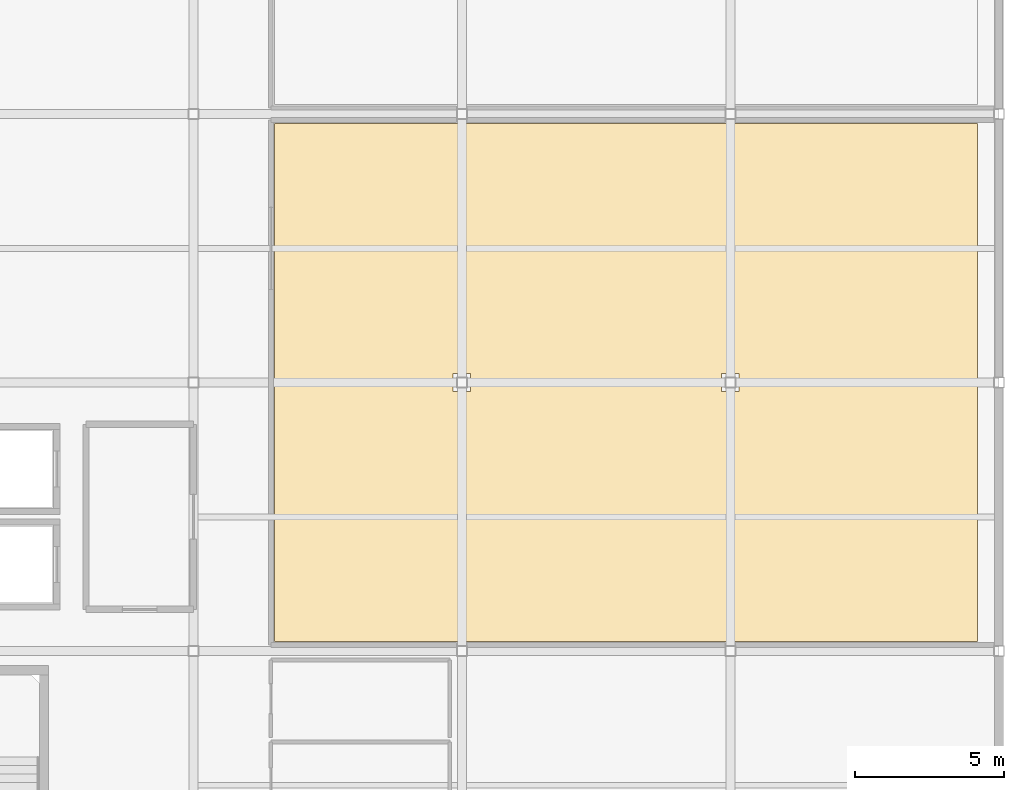
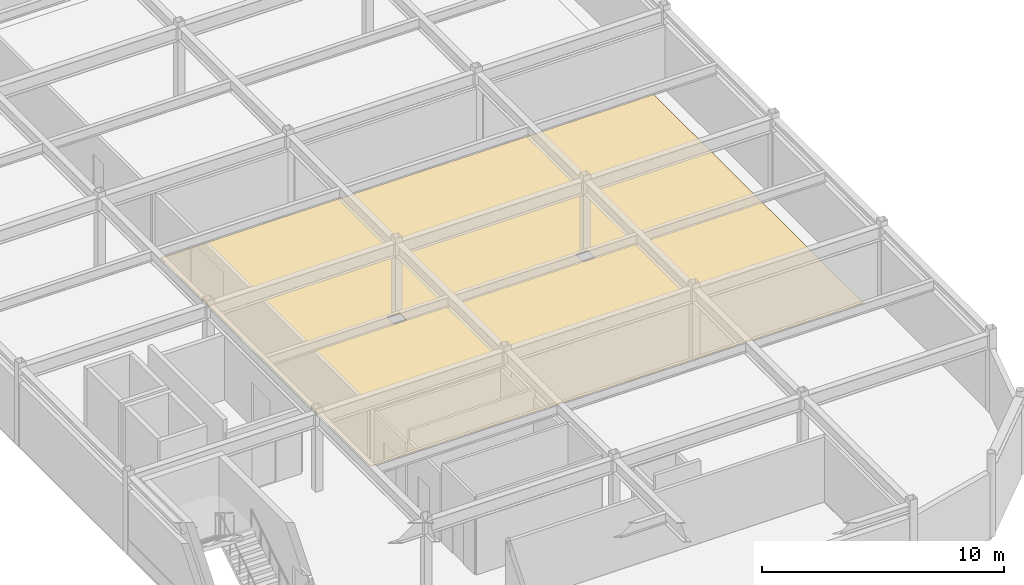
# One storey, part 38 of 40: 1 covering.
"""IFC4 building model written with IfcOpenShell, lengths in metres."""

import ifcopenshell
import ifcopenshell.guid

model = None  # the IFC model being written
_history = None  # IfcOwnerHistory: only IFC2X3 demands one
_inside = {}  # id of a spatial element -> (the spatial element, [elements in it])
_under = {}  # id of a project, library or spatial element -> (it, [spatial elements below it])
_declared = {}  # id of a project -> (the project, [libraries it declares])
_typed = {}  # id of a type object -> (the type object, [elements of that type])
_made_of = {}  # id of a material, layer set ... -> (it, [elements and type objects made of it])


def new_model(schema):
    """Start an empty IFC model of exactly this schema.

    Asked for "IFC4X3", IfcOpenShell would pick the latest addendum, in which some entities
    have other attributes; the version numbers below select the first issue.
    IFC2X3 requires an IfcOwnerHistory on every rooted entity: one is made here for all.
    """
    global model, _history
    if schema == "IFC4X3":
        model = ifcopenshell.file(schema_version=(4, 3, 0, 0))
    else:
        model = ifcopenshell.file(schema=schema)
    _inside.clear()
    _under.clear()
    _declared.clear()
    _typed.clear()
    _made_of.clear()
    _history = None
    if model.schema == "IFC2X3":
        org = make("IfcOrganization", Name="unknown")
        user = make(
            "IfcPersonAndOrganization",
            ThePerson=make("IfcPerson", FamilyName="unknown"),
            TheOrganization=org,
        )
        app = make(
            "IfcApplication",
            ApplicationDeveloper=org,
            Version="unknown",
            ApplicationFullName="unknown",
            ApplicationIdentifier="unknown",
        )
        _history = make(
            "IfcOwnerHistory",
            OwningUser=user,
            OwningApplication=app,
            ChangeAction="ADDED",
            CreationDate=0,
        )
    return model


def make(cls, **values):
    """One entity of the class cls with the attributes given. An attribute that is None is left unset."""
    return model.create_entity(
        cls, **{name: value for name, value in values.items() if value is not None}
    )


def rooted(cls, **values):
    """An entity with a GlobalId (a new one), such as an element, a storey or a relation."""
    return make(cls, GlobalId=ifcopenshell.guid.new(), OwnerHistory=_history, **values)


def si_unit(unit_type, name, prefix=None):
    """IfcSIUnit, for example si_unit("LENGTHUNIT", "METRE", prefix="MILLI")."""
    return make("IfcSIUnit", UnitType=unit_type, Prefix=prefix, Name=name)


def assignment(units):
    """IfcUnitAssignment: the units of a project."""
    return None if units is None else make("IfcUnitAssignment", Units=units)


def point(xyz):
    """IfcCartesianPoint."""
    return None if xyz is None else make("IfcCartesianPoint", Coordinates=xyz)


def direction(xyz):
    """IfcDirection."""
    return None if xyz is None else make("IfcDirection", DirectionRatios=xyz)


def frame(location, z_axis=None, x_axis=None):
    """IfcAxis2Placement3D, a coordinate frame: its origin and axes. An axis left out is left unset."""
    return make(
        "IfcAxis2Placement3D",
        Location=point(location),
        Axis=direction(z_axis),
        RefDirection=direction(x_axis),
    )


def origin():
    """The frame at (0, 0, 0) with its axes left unset."""
    return frame((0.0, 0.0, 0.0))


def place(relative_to, where):
    """IfcLocalPlacement: puts the frame where relative to a parent placement (None: the world)."""
    return make(
        "IfcLocalPlacement", PlacementRelTo=relative_to, RelativePlacement=where
    )


def context(
    kind, dimensions, precision=None, world=None, true_north=None, identifier=None
):
    """IfcGeometricRepresentationContext, for example the 3D "Model" context."""
    return make(
        "IfcGeometricRepresentationContext",
        ContextIdentifier=identifier,
        ContextType=kind,
        CoordinateSpaceDimension=dimensions,
        Precision=precision,
        WorldCoordinateSystem=world,
        TrueNorth=true_north,
    )


def subcontext(parent, identifier, kind, view, scale=None):
    """IfcGeometricRepresentationSubContext, for example "Body" below "Model"."""
    return make(
        "IfcGeometricRepresentationSubContext",
        ContextIdentifier=identifier,
        ContextType=kind,
        ParentContext=parent,
        TargetScale=scale,
        TargetView=view,
    )


def project(units=None, contexts=None):
    """IfcProject with its units and contexts."""
    return rooted(
        "IfcProject",
        Name="project",
        RepresentationContexts=contexts,
        UnitsInContext=assignment(units),
    )


def spatial(cls, under=None, at=None, **own):
    """A site, building, storey or space (cls), placed at a placement, below another one or the project."""
    s = rooted(cls, ObjectPlacement=at, **own)
    if under is not None:
        _under.setdefault(under.id(), (under, []))[1].append(s)
    return s


def polyline(points):
    """IfcPolyline through the points."""
    return make("IfcPolyline", Points=[point(p) for p in points])


def outline(outer, holes=None, kind="AREA"):
    """IfcArbitraryClosedProfileDef: a profile drawn as a closed curve; with holes, ...WithVoids."""
    if holes is None:
        return make("IfcArbitraryClosedProfileDef", ProfileType=kind, OuterCurve=outer)
    return make(
        "IfcArbitraryProfileDefWithVoids",
        ProfileType=kind,
        OuterCurve=outer,
        InnerCurves=holes,
    )


def extrude(swept, where, along, depth):
    """IfcExtrudedAreaSolid: the profile swept, set in the frame where, extruded along a direction by depth."""
    return make(
        "IfcExtrudedAreaSolid",
        SweptArea=swept,
        Position=where,
        ExtrudedDirection=direction(along),
        Depth=depth,
    )


def shape(context_of_items, identifier, shape_type, items):
    """IfcShapeRepresentation: the items that make up one representation, for example the "Body"."""
    return make(
        "IfcShapeRepresentation",
        ContextOfItems=context_of_items,
        RepresentationIdentifier=identifier,
        RepresentationType=shape_type,
        Items=items,
    )


def material(Name=None, Category=None):
    """IfcMaterial."""
    return make("IfcMaterial", Name=Name, Category=Category)


def layer(
    of_material, thickness, ventilated=None, Name=None, Category=None, Priority=None
):
    """IfcMaterialLayer: one layer of a wall or slab, of a material (None: an air gap)."""
    return make(
        "IfcMaterialLayer",
        Material=of_material,
        LayerThickness=thickness,
        IsVentilated=ventilated,
        Name=Name,
        Category=Category,
        Priority=Priority,
    )


def layer_set(layers, Name=None):
    """IfcMaterialLayerSet."""
    return make("IfcMaterialLayerSet", MaterialLayers=layers, LayerSetName=Name)


def made_of(thing, what):
    """Note that an element or type object is made of a material, layer set ...; save() writes the relation."""
    if what is not None:
        _made_of.setdefault(what.id(), (what, []))[1].append(thing)
    return thing


def type_object(cls, material=None, **own):
    """A type object (cls), such as IfcWallType, which elements share."""
    return made_of(rooted(cls, **own), material)


def element(
    cls,
    number,
    at=None,
    inside=None,
    cuts=None,
    type_object=None,
    material=None,
    context=None,
    identifier="Body",
    shape_type=None,
    held_by="IfcProductDefinitionShape",
    body=None,
    shapes=None,
    **own,
):
    """One element of the class cls, such as IfcWall. Its Tag is "e" and its number.

    at: its placement. inside: the storey or other place that contains it. cuts: it is an
    opening in that element (IfcRelVoidsElement). A single representation is given by context,
    identifier, shape_type and body (its items); several are given by shapes. held_by: the class
    of the entity that holds the representations. save() writes the other relations.
    """
    e = rooted(cls, Tag="e%d" % number, ObjectPlacement=at, **own)
    if body is not None:
        shapes = [shape(context, identifier, shape_type, body)]
    if shapes is not None:
        e.Representation = make(held_by, Representations=shapes)
    if inside is not None:
        _inside.setdefault(inside.id(), (inside, []))[1].append(e)
    if cuts is not None:
        rooted(
            "IfcRelVoidsElement", RelatingBuildingElement=cuts, RelatedOpeningElement=e
        )
    if type_object is not None:
        _typed.setdefault(type_object.id(), (type_object, []))[1].append(e)
    return made_of(e, material)


def aggregate(whole, parts):
    """IfcRelAggregates: a whole, such as a stair, and the parts it consists of."""
    return rooted("IfcRelAggregates", RelatingObject=whole, RelatedObjects=parts)


def save(model, path):
    """Write the relations noted so far, then the file.

    IfcRelAggregates (storeys below a building ...), IfcRelContainedInSpatialStructure (elements
    in a storey), IfcRelDefinesByType, IfcRelAssociatesMaterial and IfcRelDeclares: one each for
    every whole, place, type object, material and project.
    """
    for whole, parts in _under.values():
        aggregate(whole, parts)
    for where, things in _inside.values():
        rooted(
            "IfcRelContainedInSpatialStructure",
            RelatedElements=things,
            RelatingStructure=where,
        )
    for kind, things in _typed.values():
        rooted("IfcRelDefinesByType", RelatedObjects=things, RelatingType=kind)
    for what, things in _made_of.values():
        rooted("IfcRelAssociatesMaterial", RelatedObjects=things, RelatingMaterial=what)
    for by, libraries in _declared.values():
        rooted("IfcRelDeclares", RelatingContext=by, RelatedDefinitions=libraries)
    model.write(path)


model = new_model("IFC4")

# Units and contexts
model_context = context("Model", 3, precision=1e-05, world=origin(), true_north=direction((0.0, 1.0)))
body_context = subcontext(model_context, "Body", "Model", "MODEL_VIEW")
ifc_project = project(units=[si_unit("LENGTHUNIT", "METRE"), si_unit("AREAUNIT", "SQUARE_METRE"), si_unit("VOLUMEUNIT", "CUBIC_METRE"), si_unit("PLANEANGLEUNIT", "RADIAN"), si_unit("MASSUNIT", "GRAM", prefix="KILO")], contexts=[model_context])

# Site, building, storey
site_placement = place(None, origin())
site = spatial("IfcSite", under=ifc_project, at=site_placement, CompositionType="ELEMENT")
building_placement = place(site_placement, origin())
building = spatial("IfcBuilding", under=site, at=building_placement, Name="Suzunagisa Mobility Hub", CompositionType="ELEMENT")
storey_placement = place(building_placement, frame((0.0, 0.0, 21.89990234375)))
storey = spatial("IfcBuildingStorey", under=building, at=storey_placement, Name="L05", CompositionType="ELEMENT", Elevation=21.89990234375)

# Covering
ifc_material = material(Name="Polished Aggregate Terrazzo Finish")
ifc_layer = layer(ifc_material, 0.02001953125)
ifc_layer_set = layer_set([ifc_layer], Name="Polished Aggregate Terrazzo Finish")
covering_type = type_object("IfcCoveringType", Name="Polished Terrazzo Heavy-Traffic Flooring FLR-01", PredefinedType="FLOORING", material=ifc_layer_set)
covering_placement = place(storey_placement, origin())
element("IfcCovering", 1, at=covering_placement, inside=storey, type_object=covering_type, Name="L05 Sports Club Pavilion Lounge and Reception Hall Terrazzo Flooring", PredefinedType="FLOORING", context=body_context, shape_type="SweptSolid", body=[
    extrude(outline(polyline([(179.280029296875, 62.320068359375), (155.719970703125, 62.320068359375), (155.719970703125, 79.679931640625), (179.280029296875, 79.679931640625), (179.280029296875, 62.320068359375)]), holes=[polyline([(162.294921875, 70.705078125), (162.294921875, 71.294921875), (161.705078125, 71.294921875), (161.705078125, 70.705078125), (162.294921875, 70.705078125)]), polyline([(171.294921875, 71.294921875), (170.705078125, 71.294921875), (170.705078125, 70.705078125), (171.294921875, 70.705078125), (171.294921875, 71.294921875)])]), origin(), (0.0, 0.0, 1.0), 0.02001953125),
])

save(model, "model.ifc")
